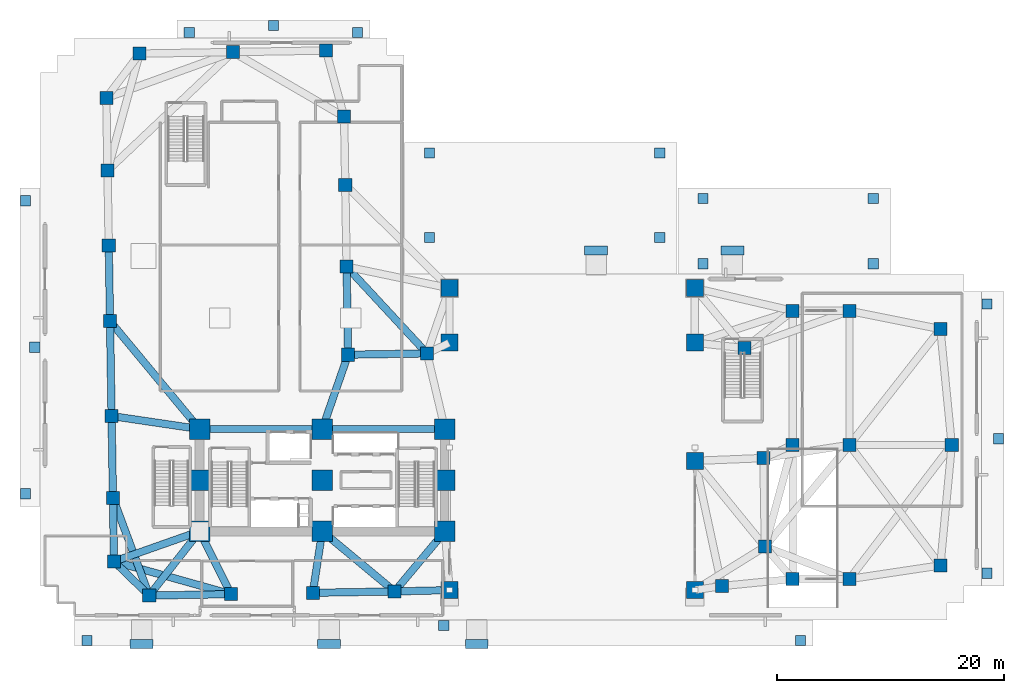
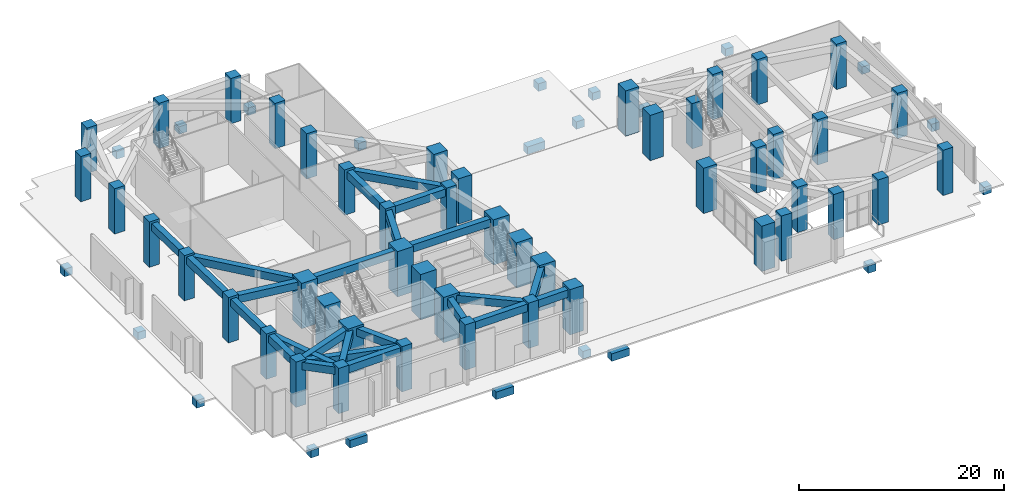
# One storey, part 1 of 19: 48 columns, 25 footings, 24 beams.
"""IFC4 building model written with IfcOpenShell, lengths in metres."""

from ifc_helpers import new_model, si_unit, direction, frame, origin, origin_2d, place, context, subcontext, project, spatial, rectangle, extrude, material, layer, layer_set, material_profile, profile_set, type_object, element, save


model = new_model("IFC4")

# Units and contexts
model_context = context("Model", 3, precision=1e-05, world=origin(), true_north=direction((0.0, 1.0)))
body_context = subcontext(model_context, "Body", "Model", "MODEL_VIEW")
ifc_project = project(units=[si_unit("LENGTHUNIT", "METRE"), si_unit("AREAUNIT", "SQUARE_METRE"), si_unit("VOLUMEUNIT", "CUBIC_METRE"), si_unit("PLANEANGLEUNIT", "RADIAN"), si_unit("MASSUNIT", "GRAM", prefix="KILO")], contexts=[model_context])

# Site, building, storey
site_placement = place(None, origin())
site = spatial("IfcSite", under=ifc_project, at=site_placement, CompositionType="ELEMENT")
building_placement = place(site_placement, origin())
building = spatial("IfcBuilding", under=site, at=building_placement, Name="Gaonmaruhae Medical Tower", CompositionType="ELEMENT")
storey_placement = place(building_placement, origin())
storey = spatial("IfcBuildingStorey", under=building, at=storey_placement, Name="L00", CompositionType="ELEMENT", Elevation=0.0)

# Footings
ifc_material_1 = material(Name="Concrete C40/50", Category="concrete")
ifc_layer = layer(ifc_material_1, 0.89990234375)
ifc_layer_set = layer_set([ifc_layer], Name="Concrete C40/50")
footing_type = type_object("IfcFootingType", Name="GF-01 Exterior Plaza & Ramp Grade Footing", PredefinedType="PAD_FOOTING", material=ifc_layer_set)
for number, where, z_axis, x_axis, name in (
    (1, (34.25, 33.64990234375, -1.079833984375), (0.0, 0.0, 1.0), (1.0, 0.0, 0.0), "L00 Exterior Plaza Grade Footing FTG-GF-01"),
    (2, (54.5, 33.64990234375, -1.079833984375), (0.0, 0.0, 1.0), (1.0, 0.0, 0.0), "L00 Exterior Plaza Grade Footing FTG-GF-02"),
    (3, (54.5, 41.10009765625, -1.079833984375), (0.0, 0.0, 1.0), (1.0, 0.0, 0.0), "L00 Exterior Plaza Grade Footing FTG-GF-03"),
    (4, (34.25, 41.10009765625, -1.079833984375), (0.0, 0.0, 1.0), (1.0, 0.0, 0.0), "L00 Exterior Plaza Grade Footing FTG-GF-04"),
    (5, (58.300048828125, 31.35009765625, -1.079833984375), (0.0, 0.0, 1.0), (1.0, 0.0, 0.0), "L00 Exterior Plaza Grade Footing FTG-GF-05"),
    (6, (73.300048828125, 31.35009765625, -1.079833984375), (0.0, 0.0, 1.0), (1.0, 0.0, 0.0), "L00 Exterior Plaza Grade Footing FTG-GF-06"),
    (7, (73.300048828125, 37.10009765625, -1.079833984375), (0.0, 0.0, 1.0), (1.0, 0.0, 0.0), "L00 Exterior Plaza Grade Footing FTG-GF-07"),
    (8, (58.300048828125, 37.10009765625, -1.079833984375), (0.0, 0.0, 1.0), (1.0, 0.0, 0.0), "L00 Exterior Plaza Grade Footing FTG-GF-08"),
    (9, (83.300048828125, 4.10009765625, -1.079833984375), (0.0, 0.0, 1.0), (1.0, 0.0, 0.0), "L00 Exterior Plaza Grade Footing FTG-GF-09"),
    (10, (84.320068359375, 15.949951171875, -1.079833984375), (0.0, 0.0, 1.0), (1.0, 0.0, 0.0), "L00 Exterior Plaza Grade Footing FTG-GF-10"),
    (11, (83.300048828125, 27.800048828125, -1.079833984375), (0.0, 0.0, 1.0), (1.0, 0.0, 0.0), "L00 Exterior Plaza Grade Footing FTG-GF-11"),
    (12, (-1.320068359375, 11.10009765625, -1.079833984375), (0.0, 0.0, 1.0), (1.0, 0.0, 0.0), "L00 Exterior Plaza Grade Footing FTG-GF-12"),
    (13, (-0.5, 24.0, -1.079833984375), (0.0, 0.0, 1.0), (1.0, 0.0, 0.0), "L00 Exterior Plaza Grade Footing FTG-GF-13"),
    (14, (-1.320068359375, 36.89990234375, -1.079833984375), (0.0, 0.0, 1.0), (1.0, 0.0, 0.0), "L00 Exterior Plaza Grade Footing FTG-GF-14"),
    (15, (4.10009765625, -1.820068359375, -1.079833984375), (0.0, 0.0, 1.0), (1.0, 0.0, 0.0), "L00 Exterior Plaza Grade Footing FTG-GF-15"),
    (16, (35.5, -0.5, -1.079833984375), (0.0, 0.0, 1.0), (1.0, 0.0, 0.0), "L00 Exterior Plaza Grade Footing FTG-GF-16"),
    (17, (66.89990234375, -1.820068359375, -1.079833984375), (0.0, 0.0, 1.0), (1.0, 0.0, 0.0), "L00 Exterior Plaza Grade Footing FTG-GF-17"),
    (18, (13.10009765625, 51.699951171875, -1.079833984375), (0.0, 0.0, 1.0), (1.0, 0.0, 0.0), "L00 Exterior Plaza Grade Footing FTG-GF-18"),
    (19, (20.5, 52.320068359375, -1.079833984375), (0.0, 0.0, 1.0), (1.0, 0.0, 0.0), "L00 Exterior Plaza Grade Footing FTG-GF-19"),
    (20, (27.89990234375, 51.699951171875, -1.079833984375), (0.0, 0.0, 1.0), (1.0, 0.0, 0.0), "L00 Exterior Plaza Grade Footing FTG-GF-20"),
):
    element("IfcFooting", number, at=place(storey_placement, frame(where, z_axis=z_axis, x_axis=x_axis)), inside=storey, type_object=footing_type, Name=name, PredefinedType="PAD_FOOTING", context=body_context, shape_type="SweptSolid", body=[
        extrude(rectangle(XDim=0.89990234375, YDim=0.89990234375, at=origin_2d()), origin(), (0.0, 0.0, 1.0), 0.89990234375),
    ])
for number, where, z_axis, x_axis, name in (
    (21, (38.39990234375, -2.10009765625, -1.25), (0.0, 0.0, 1.0), (1.0, 0.0, 0.0), "L00 Accessible Ramp Toe Grade Footing FTG-GF-AR1"),
    (22, (48.89990234375, 32.5, -1.25), (0.0, 0.0, 1.0), (1.0, 0.0, 0.0), "L00 Accessible Ramp Toe Grade Footing FTG-GF-AR2"),
    (23, (8.89990234375, -2.10009765625, -1.25), (0.0, 0.0, 1.0), (1.0, 0.0, 0.0), "L00 Accessible Ramp Toe Grade Footing FTG-GF-AR3"),
    (24, (60.89990234375, 32.5, -1.25), (0.0, 0.0, 1.0), (1.0, 0.0, 0.0), "L00 Accessible Ramp Toe Grade Footing FTG-GF-AR4"),
    (25, (25.39990234375, -2.10009765625, -1.25), (0.0, 0.0, 1.0), (1.0, 0.0, 0.0), "L00 Accessible Ramp Toe Grade Footing FTG-GF-AR5"),
):
    element("IfcFooting", number, at=place(storey_placement, frame(where, z_axis=z_axis, x_axis=x_axis)), inside=storey, type_object=footing_type, Name=name, PredefinedType="PAD_FOOTING", context=body_context, shape_type="SweptSolid", body=[
        extrude(rectangle(XDim=2.0, YDim=0.800048828125, at=origin_2d()), origin(), (0.0, 0.0, 1.0), 0.89990234375),
    ])

# Columns
ifc_material_2 = material(Name="Concrete C60/75", Category="concrete")
ifc_material_profile_1 = material_profile(ifc_material_2, rectangle(XDim=1.800048828125, YDim=1.800048828125, at=origin_2d()), Name="RC-1800x1800")
ifc_profile_set_1 = profile_set([ifc_material_profile_1], Name="Concrete C60/75")
column_type_1 = type_object("IfcColumnType", Name="CC-01 Lower Core Mega Column (RC-1800x1800)", PredefinedType="COLUMN", material=ifc_profile_set_1)
for number, where, z_axis, x_axis, name in (
    (26, (14.0, 7.800048828125, 0.0), (0.0, 0.0, 1.0), (1.0, 0.0, 0.0), "L00 Plumb Core Column CC11"),
    (27, (14.0, 12.300048828125, 0.0), (0.0, 0.0, 1.0), (1.0, 0.0, 0.0), "L00 Plumb Core Column CC12"),
    (28, (14.0, 16.800048828125, 0.0), (0.0, 0.0, 1.0), (1.0, 0.0, 0.0), "L00 Plumb Core Column CC13"),
    (29, (24.800048828125, 7.800048828125, 0.0), (0.0, 0.0, 1.0), (1.0, 0.0, 0.0), "L00 Plumb Core Column CC21"),
    (30, (24.800048828125, 12.300048828125, 0.0), (0.0, 0.0, 1.0), (1.0, 0.0, 0.0), "L00 Plumb Core Column CC22"),
    (31, (24.800048828125, 16.800048828125, 0.0), (0.0, 0.0, 1.0), (1.0, 0.0, 0.0), "L00 Plumb Core Column CC23"),
    (32, (35.60009765625, 7.800048828125, 0.0), (0.0, 0.0, 1.0), (1.0, 0.0, 0.0), "L00 Plumb Core Column CC31"),
    (33, (35.60009765625, 12.300048828125, 0.0), (0.0, 0.0, 1.0), (1.0, 0.0, 0.0), "L00 Plumb Core Column CC32"),
    (34, (35.60009765625, 16.800048828125, 0.0), (0.0, 0.0, 1.0), (1.0, 0.0, 0.0), "L00 Plumb Core Column CC33"),
):
    element("IfcColumn", number, at=place(storey_placement, frame(where, z_axis=z_axis, x_axis=x_axis)), inside=storey, type_object=column_type_1, Name=name, PredefinedType="COLUMN", context=body_context, shape_type="SweptSolid", body=[
        extrude(rectangle(XDim=1.800048828125, YDim=1.800048828125, at=origin_2d()), origin(), (0.0, 0.0, 1.0), 5.39990234375),
    ])
ifc_material_profile_2 = material_profile(ifc_material_2, rectangle(XDim=1.5, YDim=1.5, at=origin_2d()), Name="RC-1500x1500")
ifc_profile_set_2 = profile_set([ifc_material_profile_2], Name="Concrete C60/75")
column_type_2 = type_object("IfcColumnType", Name="PC-C1 Portal Arch Exterior Spring Pier (RC-1500x1500)", PredefinedType="PILASTER", material=ifc_profile_set_2)
for number, where, z_axis, x_axis, name in (
    (35, (36.0, 29.199951171875, 0.0), (0.0, 0.0, 1.0), (1.0, 0.0, 0.0), "L00 Podium Column AP-W4"),
    (36, (57.60009765625, 29.199951171875, 0.0), (0.0, 0.0, 1.0), (1.0, 0.0, 0.0), "L00 Podium Column AP-E4"),
):
    element("IfcColumn", number, at=place(storey_placement, frame(where, z_axis=z_axis, x_axis=x_axis)), inside=storey, type_object=column_type_2, Name=name, PredefinedType="PILASTER", context=body_context, shape_type="SweptSolid", body=[
        extrude(rectangle(XDim=1.5, YDim=1.5, at=origin_2d()), origin(), (0.0, 0.0, 1.0), 5.39990234375),
    ])
ifc_material_profile_3 = material_profile(ifc_material_2, rectangle(XDim=1.5, YDim=1.5, at=origin_2d()), Name="RC-1500x1500")
ifc_profile_set_3 = profile_set([ifc_material_profile_3], Name="Concrete C60/75")
column_type_3 = type_object("IfcColumnType", Name="PC-C1I Portal Arch Interior Spring Pier (RC-1500x1500)", PredefinedType="PILASTER", material=ifc_profile_set_3)
for number, where, z_axis, x_axis, name in (
    (37, (36.0, 2.6259765625, 0.0), (0.0, 0.0, 1.0), (1.0, 0.0, 0.0), "L00 Podium Column AP-W1"),
    (38, (57.60009765625, 2.6259765625, 0.0), (0.0, 0.0, 1.0), (1.0, 0.0, 0.0), "L00 Podium Column AP-E1"),
    (39, (57.60009765625, 14.0, 0.0), (0.0, 0.0, 1.0), (1.0, 0.0, 0.0), "L00 Podium Column AP-E2"),
    (40, (36.0, 24.39990234375, 0.0), (0.0, 0.0, 1.0), (1.0, 0.0, 0.0), "L00 Podium Column AP-W3"),
    (41, (57.60009765625, 24.39990234375, 0.0), (0.0, 0.0, 1.0), (1.0, 0.0, 0.0), "L00 Podium Column AP-E3"),
):
    element("IfcColumn", number, at=place(storey_placement, frame(where, z_axis=z_axis, x_axis=x_axis)), inside=storey, type_object=column_type_3, Name=name, PredefinedType="PILASTER", context=body_context, shape_type="SweptSolid", body=[
        extrude(rectangle(XDim=1.5, YDim=1.5, at=origin_2d()), origin(), (0.0, 0.0, 1.0), 5.39990234375),
    ])
ifc_material_3 = material(Name="Concrete C50/60", Category="concrete")
ifc_material_profile_4 = material_profile(ifc_material_3, rectangle(XDim=1.14990234375, YDim=1.14990234375, at=origin_2d()), Name="RC-1150x1150")
ifc_profile_set_4 = profile_set([ifc_material_profile_4], Name="Concrete C50/60")
column_type_4 = type_object("IfcColumnType", Name="PC-C2 Podium Perimeter Column (RC-1150x1150)", PredefinedType="COLUMN", material=ifc_profile_set_4)
for number, where, z_axis, x_axis, name in (
    (42, (9.572265625, 2.1484375, 0.0), (0.0, 0.0, 1.0), (1.0, 0.0, 0.0), "L00 Podium Column PL5-S01"),
    (43, (25.129150390625, 50.113037109375, 0.0), (0.0, 0.0, 1.0), (1.0, 0.0, 0.0), "L00 Podium Column PL5-N01"),
    (44, (16.930419921875, 49.97705078125, 0.0), (0.0, 0.0, 1.0), (1.0, 0.0, 0.0), "L00 Podium Column PL5-N02"),
    (45, (8.7314453125, 49.841064453125, 0.0), (0.0, 0.0, 1.0), (1.0, 0.0, 0.0), "L00 Podium Column PL5-N03"),
    (46, (66.199951171875, 3.60009765625, 0.0), (0.0, 0.0, 1.0), (1.0, 0.0, 0.0), "L00 Podium Column PE-01"),
    (47, (66.199951171875, 27.199951171875, 0.0), (0.0, 0.0, 1.0), (1.0, 0.0, 0.0), "L00 Podium Column PE-05"),
    (48, (79.199951171875, 4.800048828125, 0.0), (0.0, 0.0, 1.0), (1.0, 0.0, 0.0), "L00 Podium Column PE-07"),
    (49, (80.199951171875, 15.39990234375, 0.0), (0.0, 0.0, 1.0), (1.0, 0.0, 0.0), "L00 Podium Column PE-08"),
    (50, (79.199951171875, 25.60009765625, 0.0), (0.0, 0.0, 1.0), (1.0, 0.0, 0.0), "L00 Podium Column PE-09"),
):
    element("IfcColumn", number, at=place(storey_placement, frame(where, z_axis=z_axis, x_axis=x_axis)), inside=storey, type_object=column_type_4, Name=name, PredefinedType="COLUMN", context=body_context, shape_type="SweptSolid", body=[
        extrude(rectangle(XDim=1.14990234375, YDim=1.14990234375, at=origin_2d()), origin(), (0.0, 0.0, 1.0), 5.39990234375),
    ])
ifc_material_profile_5 = material_profile(ifc_material_3, rectangle(XDim=1.14990234375, YDim=1.14990234375, at=origin_2d()), Name="RC-1150x1150")
ifc_profile_set_5 = profile_set([ifc_material_profile_5], Name="Concrete C50/60")
column_type_5 = type_object("IfcColumnType", Name="PC-C2I Podium Interior Column (RC-1150x1150)", PredefinedType="COLUMN", material=ifc_profile_set_5)
for number, where, z_axis, x_axis, name in (
    (51, (16.771240234375, 2.267822265625, 0.0), (0.0, 0.0, 1.0), (1.0, 0.0, 0.0), "L00 Podium Column PL5-S02"),
    (52, (23.97021484375, 2.38720703125, 0.0), (0.0, 0.0, 1.0), (1.0, 0.0, 0.0), "L00 Podium Column PL5-S03"),
    (53, (31.169189453125, 2.506591796875, 0.0), (0.0, 0.0, 1.0), (1.0, 0.0, 0.0), "L00 Podium Column PL5-S04"),
    (54, (59.96533203125, 2.984130859375, 0.0), (0.0, 0.0, 1.0), (1.0, 0.0, 0.0), "L00 Podium Column PL5-S08"),
    (55, (63.75830078125, 6.447509765625, 0.0), (0.0, 0.0, 1.0), (1.0, 0.0, 0.0), "L00 Podium Column PL5-E01"),
    (56, (63.629150390625, 14.246337890625, 0.0), (0.0, 0.0, 1.0), (1.0, 0.0, 0.0), "L00 Podium Column PL5-E02"),
    (57, (61.968505859375, 23.920166015625, 0.0), (0.0, 0.0, 1.0), (1.0, 0.0, 0.0), "L00 Podium Column PL5-E03"),
    (58, (34.022216796875, 23.456787109375, 0.0), (0.0, 0.0, 1.0), (1.0, 0.0, 0.0), "L00 Podium Column PL5-EN04"),
    (59, (27.0732421875, 23.341552734375, 0.0), (0.0, 0.0, 1.0), (1.0, 0.0, 0.0), "L00 Podium Column PL5-KN01"),
    (60, (26.94482421875, 31.090576171875, 0.0), (0.0, 0.0, 1.0), (1.0, 0.0, 0.0), "L00 Podium Column PL5-NE01"),
    (61, (26.825439453125, 38.28955078125, 0.0), (0.0, 0.0, 1.0), (1.0, 0.0, 0.0), "L00 Podium Column PL5-NE02"),
    (62, (26.725830078125, 44.288818359375, 0.0), (0.0, 0.0, 1.0), (1.0, 0.0, 0.0), "L00 Podium Column PL5-NE03"),
    (63, (5.795654296875, 45.94189453125, 0.0), (0.0, 0.0, 1.0), (1.0, 0.0, 0.0), "L00 Podium Column PL5-W01"),
    (64, (5.90185546875, 39.542724609375, 0.0), (0.0, 0.0, 1.0), (1.0, 0.0, 0.0), "L00 Podium Column PL5-W02"),
    (65, (6.01123046875, 32.943603515625, 0.0), (0.0, 0.0, 1.0), (1.0, 0.0, 0.0), "L00 Podium Column PL5-W03"),
    (66, (6.121337890625, 26.294677734375, 0.0), (0.0, 0.0, 1.0), (1.0, 0.0, 0.0), "L00 Podium Column PL5-W04"),
    (67, (6.260009765625, 17.94580078125, 0.0), (0.0, 0.0, 1.0), (1.0, 0.0, 0.0), "L00 Podium Column PL5-W05"),
    (68, (6.37939453125, 10.746826171875, 0.0), (0.0, 0.0, 1.0), (1.0, 0.0, 0.0), "L00 Podium Column PL5-W06"),
    (69, (6.47216796875, 5.1474609375, 0.0), (0.0, 0.0, 1.0), (1.0, 0.0, 0.0), "L00 Podium Column PL5-W07"),
    (70, (71.199951171875, 3.60009765625, 0.0), (0.0, 0.0, 1.0), (1.0, 0.0, 0.0), "L00 Podium Column PE-02"),
    (71, (66.199951171875, 15.39990234375, 0.0), (0.0, 0.0, 1.0), (1.0, 0.0, 0.0), "L00 Podium Column PE-03"),
    (72, (71.199951171875, 15.39990234375, 0.0), (0.0, 0.0, 1.0), (1.0, 0.0, 0.0), "L00 Podium Column PE-04"),
    (73, (71.199951171875, 27.199951171875, 0.0), (0.0, 0.0, 1.0), (1.0, 0.0, 0.0), "L00 Podium Column PE-06"),
):
    element("IfcColumn", number, at=place(storey_placement, frame(where, z_axis=z_axis, x_axis=x_axis)), inside=storey, type_object=column_type_5, Name=name, PredefinedType="COLUMN", context=body_context, shape_type="SweptSolid", body=[
        extrude(rectangle(XDim=1.14990234375, YDim=1.14990234375, at=origin_2d()), origin(), (0.0, 0.0, 1.0), 5.39990234375),
    ])

# Beams
ifc_material_profile_6 = material_profile(ifc_material_3, rectangle(XDim=0.64990234375, YDim=0.89990234375, at=origin_2d()), Name="RCG-650x900")
ifc_profile_set_6 = profile_set([ifc_material_profile_6], Name="Concrete C50/60")
beam_type = type_object("IfcBeamType", Name="RG-01 Podium Primary RC Girder (RCG-650x900)", PredefinedType="BEAM", material=ifc_profile_set_6)
for number, where, z_axis, x_axis, name in (
    (74, (14.050048828125, 16.800048828125, 4.699951171875), (1.0, 0.0, 0.0), (0.0, 1.0, 0.0), "L00 Beam BM-L00-CG-N1"),
    (75, (24.85009765625, 16.800048828125, 4.699951171875), (1.0, 0.0, 0.0), (0.0, 1.0, 0.0), "L00 Beam BM-L00-CG-N2"),
):
    element("IfcBeam", number, at=place(storey_placement, frame(where, z_axis=z_axis, x_axis=x_axis)), inside=storey, type_object=beam_type, Name=name, PredefinedType="BEAM", context=body_context, shape_type="SweptSolid", body=[
        extrude(rectangle(XDim=0.64990234375, YDim=0.89990234375, at=origin_2d()), origin(), (0.0, 0.0, 1.0), 10.699951171875),
    ])
beam_1_placement = place(storey_placement, frame((35.949951171875, 2.624755859375, 4.699951171875), z_axis=(-0.999694600046, -0.024712479405, 0.0), x_axis=(0.024712479405, -0.999694600046, 0.0)))
element("IfcBeam", 76, at=beam_1_placement, inside=storey, type_object=beam_type, Name="L00 Beam BM-L00-PG001", PredefinedType="BEAM", context=body_context, shape_type="SweptSolid", body=[
    extrude(rectangle(XDim=0.64990234375, YDim=0.89990234375, at=origin_2d()), origin(), (0.0, 0.0, 1.0), 4.732177734375),
])
beam_2_placement = place(storey_placement, frame((9.536376953125, 2.183349609375, 4.699951171875), z_axis=(-0.71874317397, 0.695275664662, 0.0), x_axis=(-0.695275664662, -0.71874317397, 0.0)))
element("IfcBeam", 77, at=beam_2_placement, inside=storey, type_object=beam_type, Name="L00 Beam BM-L00-PG015", PredefinedType="BEAM", context=body_context, shape_type="SweptSolid", body=[
    extrude(rectangle(XDim=0.64990234375, YDim=0.89990234375, at=origin_2d()), origin(), (0.0, 0.0, 1.0), 4.21337890625),
])
beam_3_placement = place(storey_placement, frame((9.60302734375, 2.187744140625, 4.699951171875), z_axis=(0.616722881004, 0.787180340231, 0.0), x_axis=(-0.787180340231, 0.616722881004, 0.0)))
element("IfcBeam", 78, at=beam_3_placement, inside=storey, type_object=beam_type, Name="L00 Beam BM-L00-PG016", PredefinedType="BEAM", context=body_context, shape_type="SweptSolid", body=[
    extrude(rectangle(XDim=0.64990234375, YDim=0.89990234375, at=origin_2d()), origin(), (0.0, 0.0, 1.0), 7.07958984375),
])
beam_4_placement = place(storey_placement, frame((16.7490234375, 2.3125, 4.699951171875), z_axis=(-0.447887224471, 0.894090059309, 0.0), x_axis=(-0.894090059309, -0.447887224471, 0.0)))
element("IfcBeam", 79, at=beam_4_placement, inside=storey, type_object=beam_type, Name="L00 Beam BM-L00-PG017", PredefinedType="BEAM", context=body_context, shape_type="SweptSolid", body=[
    extrude(rectangle(XDim=0.64990234375, YDim=0.89990234375, at=origin_2d()), origin(), (0.0, 0.0, 1.0), 6.087646484375),
])
beam_5_placement = place(storey_placement, frame((16.72119140625, 2.26708984375, 4.699951171875), z_axis=(-0.99986263522, -0.016574398672, 0.0), x_axis=(0.016574398672, -0.99986263522, 0.0)))
element("IfcBeam", 80, at=beam_5_placement, inside=storey, type_object=beam_type, Name="L00 Beam BM-L00-PG018", PredefinedType="BEAM", context=body_context, shape_type="SweptSolid", body=[
    extrude(rectangle(XDim=0.64990234375, YDim=0.89990234375, at=origin_2d()), origin(), (0.0, 0.0, 1.0), 7.099853515625),
])
beam_6_placement = place(storey_placement, frame((23.977783203125, 2.436767578125, 4.699951171875), z_axis=(0.15154867759, 0.988449795549, 0.0), x_axis=(-0.988449795549, 0.15154867759, 0.0)))
element("IfcBeam", 81, at=beam_6_placement, inside=storey, type_object=beam_type, Name="L00 Beam BM-L00-PG019", PredefinedType="BEAM", context=body_context, shape_type="SweptSolid", body=[
    extrude(rectangle(XDim=0.64990234375, YDim=0.89990234375, at=origin_2d()), origin(), (0.0, 0.0, 1.0), 5.375732421875),
])
beam_7_placement = place(storey_placement, frame((24.020263671875, 2.38818359375, 4.699951171875), z_axis=(0.999862644666, 0.01657382883, 0.0), x_axis=(-0.01657382883, 0.999862644666, 0.0)))
element("IfcBeam", 82, at=beam_7_placement, inside=storey, type_object=beam_type, Name="L00 Beam BM-L00-PG020", PredefinedType="BEAM", context=body_context, shape_type="SweptSolid", body=[
    extrude(rectangle(XDim=0.64990234375, YDim=0.89990234375, at=origin_2d()), origin(), (0.0, 0.0, 1.0), 7.10009765625),
])
beam_8_placement = place(storey_placement, frame((31.201416015625, 2.544921875, 4.699951171875), z_axis=(0.641841952808, 0.766836949824, 0.0), x_axis=(-0.766836949824, 0.641841952808, 0.0)))
element("IfcBeam", 83, at=beam_8_placement, inside=storey, type_object=beam_type, Name="L00 Beam BM-L00-PG021", PredefinedType="BEAM", context=body_context, shape_type="SweptSolid", body=[
    extrude(rectangle(XDim=0.64990234375, YDim=0.89990234375, at=origin_2d()), origin(), (0.0, 0.0, 1.0), 6.802978515625),
])
beam_9_placement = place(storey_placement, frame((31.130859375, 2.53857421875, 4.699951171875), z_axis=(-0.769076636627, 0.639156574709, 0.0), x_axis=(-0.639156574709, -0.769076636627, 0.0)))
element("IfcBeam", 84, at=beam_9_placement, inside=storey, type_object=beam_type, Name="L00 Beam BM-L00-PG022", PredefinedType="BEAM", context=body_context, shape_type="SweptSolid", body=[
    extrude(rectangle(XDim=0.64990234375, YDim=0.89990234375, at=origin_2d()), origin(), (0.0, 0.0, 1.0), 8.181884765625),
])
beam_10_placement = place(storey_placement, frame((33.972412109375, 23.4560546875, 4.699951171875), z_axis=(-0.999862660061, -0.016572900012, 0.0), x_axis=(0.016572900012, -0.999862660061, 0.0)))
element("IfcBeam", 85, at=beam_10_placement, inside=storey, type_object=beam_type, Name="L00 Beam BM-L00-PG032", PredefinedType="BEAM", context=body_context, shape_type="SweptSolid", body=[
    extrude(rectangle(XDim=0.64990234375, YDim=0.89990234375, at=origin_2d()), origin(), (0.0, 0.0, 1.0), 6.85009765625),
])
beam_11_placement = place(storey_placement, frame((27.056884765625, 23.29443359375, 4.699951171875), z_axis=(-0.328252856343, -0.944589891065, 0.0), x_axis=(0.944589891065, -0.328252856343, 0.0)))
element("IfcBeam", 86, at=beam_11_placement, inside=storey, type_object=beam_type, Name="L00 Beam BM-L00-PG033", PredefinedType="BEAM", context=body_context, shape_type="SweptSolid", body=[
    extrude(rectangle(XDim=0.64990234375, YDim=0.89990234375, at=origin_2d()), origin(), (0.0, 0.0, 1.0), 6.825439453125),
])
beam_12_placement = place(storey_placement, frame((27.072509765625, 23.3916015625, 4.699951171875), z_axis=(-0.016595224727, 0.999862289776, 0.0), x_axis=(-0.999862289776, -0.016595224727, 0.0)))
element("IfcBeam", 87, at=beam_12_placement, inside=storey, type_object=beam_type, Name="L00 Beam BM-L00-PG034", PredefinedType="BEAM", context=body_context, shape_type="SweptSolid", body=[
    extrude(rectangle(XDim=0.64990234375, YDim=0.89990234375, at=origin_2d()), origin(), (0.0, 0.0, 1.0), 7.64990234375),
])
beam_13_placement = place(storey_placement, frame((26.978759765625, 31.053955078125, 4.699951171875), z_axis=(0.679878677461, -0.733324610206, 0.0), x_axis=(0.733324610206, 0.679878677461, 0.0)))
element("IfcBeam", 88, at=beam_13_placement, inside=storey, type_object=beam_type, Name="L00 Beam BM-L00-PG036", PredefinedType="BEAM", context=body_context, shape_type="SweptSolid", body=[
    extrude(rectangle(XDim=0.64990234375, YDim=0.89990234375, at=origin_2d()), origin(), (0.0, 0.0, 1.0), 10.31005859375),
])
beam_14_placement = place(storey_placement, frame((6.011962890625, 32.893798828125, 4.699951171875), z_axis=(0.016586102524, -0.99986244114, 0.0), x_axis=(0.99986244114, 0.016586102524, 0.0)))
element("IfcBeam", 89, at=beam_14_placement, inside=storey, type_object=beam_type, Name="L00 Beam BM-L00-PG049", PredefinedType="BEAM", context=body_context, shape_type="SweptSolid", body=[
    extrude(rectangle(XDim=0.64990234375, YDim=0.89990234375, at=origin_2d()), origin(), (0.0, 0.0, 1.0), 6.55029296875),
])
beam_15_placement = place(storey_placement, frame((6.122314453125, 26.24462890625, 4.699951171875), z_axis=(0.016572145992, -0.999862672559, 0.0), x_axis=(0.999862672559, 0.016572145992, 0.0)))
element("IfcBeam", 90, at=beam_15_placement, inside=storey, type_object=beam_type, Name="L00 Beam BM-L00-PG050", PredefinedType="BEAM", context=body_context, shape_type="SweptSolid", body=[
    extrude(rectangle(XDim=0.64990234375, YDim=0.89990234375, at=origin_2d()), origin(), (0.0, 0.0, 1.0), 8.25),
])
beam_16_placement = place(storey_placement, frame((6.1533203125, 26.256103515625, 4.699951171875), z_axis=(0.638571966842, -0.76956211131, 0.0), x_axis=(0.76956211131, 0.638571966842, 0.0)))
element("IfcBeam", 91, at=beam_16_placement, inside=storey, type_object=beam_type, Name="L00 Beam BM-L00-PG051", PredefinedType="BEAM", context=body_context, shape_type="SweptSolid", body=[
    extrude(rectangle(XDim=0.64990234375, YDim=0.89990234375, at=origin_2d()), origin(), (0.0, 0.0, 1.0), 12.23779296875),
])
beam_17_placement = place(storey_placement, frame((6.2607421875, 17.895751953125, 4.699951171875), z_axis=(0.016574398672, -0.99986263522, 0.0), x_axis=(0.99986263522, 0.016574398672, 0.0)))
element("IfcBeam", 92, at=beam_17_placement, inside=storey, type_object=beam_type, Name="L00 Beam BM-L00-PG052", PredefinedType="BEAM", context=body_context, shape_type="SweptSolid", body=[
    extrude(rectangle(XDim=0.64990234375, YDim=0.89990234375, at=origin_2d()), origin(), (0.0, 0.0, 1.0), 7.099853515625),
])
beam_18_placement = place(storey_placement, frame((6.309326171875, 17.9384765625, 4.699951171875), z_axis=(0.989220595227, -0.146432967528, 0.0), x_axis=(0.146432967528, 0.989220595227, 0.0)))
element("IfcBeam", 93, at=beam_18_placement, inside=storey, type_object=beam_type, Name="L00 Beam BM-L00-PG053", PredefinedType="BEAM", context=body_context, shape_type="SweptSolid", body=[
    extrude(rectangle(XDim=0.64990234375, YDim=0.89990234375, at=origin_2d()), origin(), (0.0, 0.0, 1.0), 7.724365234375),
])
beam_19_placement = place(storey_placement, frame((6.380126953125, 10.69677734375, 4.699951171875), z_axis=(0.016557108537, -0.999862921683, 0.0), x_axis=(0.999862921683, 0.016557108537, 0.0)))
element("IfcBeam", 94, at=beam_19_placement, inside=storey, type_object=beam_type, Name="L00 Beam BM-L00-PG054", PredefinedType="BEAM", context=body_context, shape_type="SweptSolid", body=[
    extrude(rectangle(XDim=0.64990234375, YDim=0.89990234375, at=origin_2d()), origin(), (0.0, 0.0, 1.0), 5.5),
])
beam_20_placement = place(storey_placement, frame((6.396728515625, 10.699951171875, 4.699951171875), z_axis=(0.348122339765, -0.937449111449, 0.0), x_axis=(0.937449111449, 0.348122339765, 0.0)))
element("IfcBeam", 95, at=beam_20_placement, inside=storey, type_object=beam_type, Name="L00 Beam BM-L00-PG055", PredefinedType="BEAM", context=body_context, shape_type="SweptSolid", body=[
    extrude(rectangle(XDim=0.64990234375, YDim=0.89990234375, at=origin_2d()), origin(), (0.0, 0.0, 1.0), 9.072021484375),
])
beam_21_placement = place(storey_placement, frame((6.519287109375, 5.1640625, 4.699951171875), z_axis=(0.943158912801, 0.332342090628, 0.0), x_axis=(-0.332342090628, 0.943158912801, 0.0)))
element("IfcBeam", 96, at=beam_21_placement, inside=storey, type_object=beam_type, Name="L00 Beam BM-L00-PG056", PredefinedType="BEAM", context=body_context, shape_type="SweptSolid", body=[
    extrude(rectangle(XDim=0.64990234375, YDim=0.89990234375, at=origin_2d()), origin(), (0.0, 0.0, 1.0), 7.881591796875),
])
beam_22_placement = place(storey_placement, frame((6.520263671875, 5.134033203125, 4.699951171875), z_axis=(0.963062562171, -0.269277740159, 0.0), x_axis=(0.269277740159, 0.963062562171, 0.0)))
element("IfcBeam", 97, at=beam_22_placement, inside=storey, type_object=beam_type, Name="L00 Beam BM-L00-PG057", PredefinedType="BEAM", context=body_context, shape_type="SweptSolid", body=[
    extrude(rectangle(XDim=0.64990234375, YDim=0.89990234375, at=origin_2d()), origin(), (0.0, 0.0, 1.0), 10.59423828125),
])

save(model, "model.ifc")
